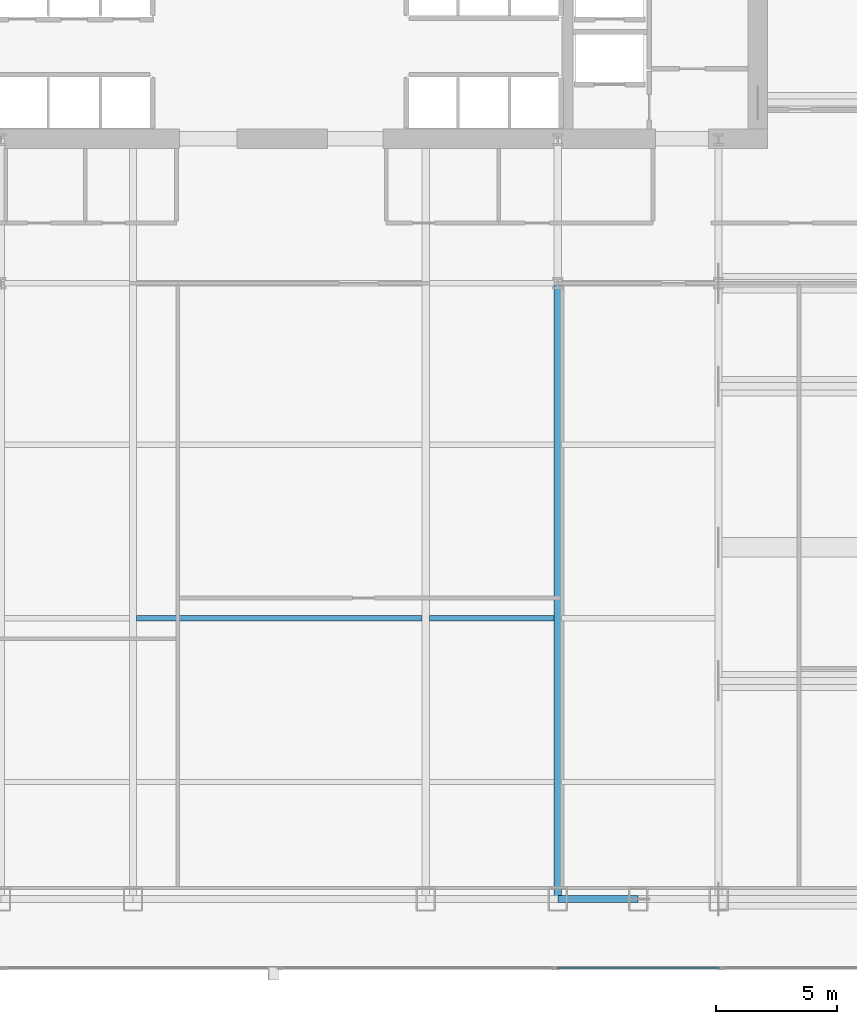
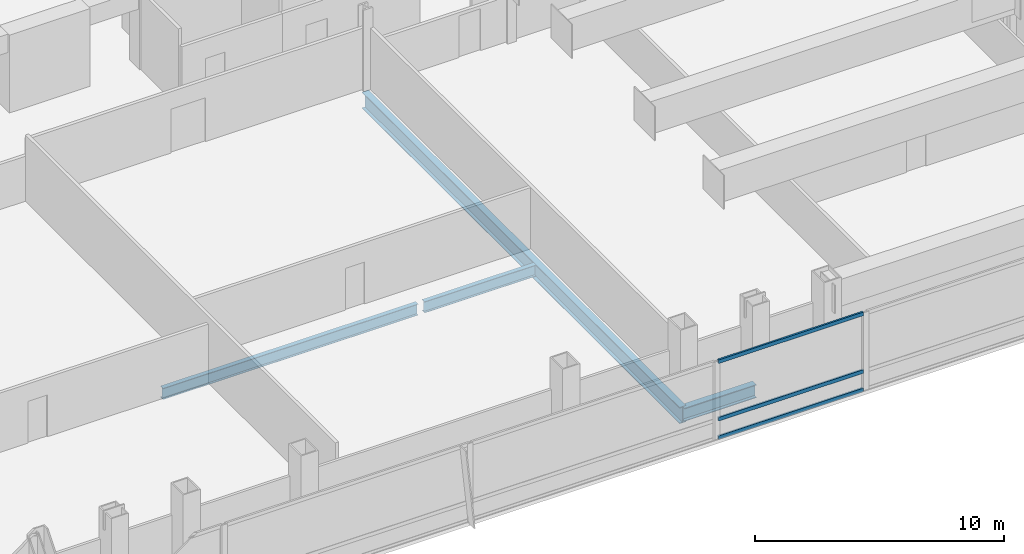
# One storey, part 12 of 32: 4 beams, 3 members, 1 element without a shape of its own.
"""IFC4 building model written with IfcOpenShell, lengths in metres."""

from ifc_helpers import new_model, si_unit, direction, frame, origin, origin_2d, place, context, subcontext, project, spatial, hollow_rectangle, i_section, extrude, material, material_profile, profile_set, type_object, element, aggregate, save


model = new_model("IFC4")

# Units and contexts
model_context = context("Model", 3, precision=1e-05, world=origin(), true_north=direction((0.0, 1.0)))
body_context = subcontext(model_context, "Body", "Model", "MODEL_VIEW")
ifc_project = project(units=[si_unit("LENGTHUNIT", "METRE"), si_unit("AREAUNIT", "SQUARE_METRE"), si_unit("VOLUMEUNIT", "CUBIC_METRE"), si_unit("PLANEANGLEUNIT", "RADIAN"), si_unit("MASSUNIT", "GRAM", prefix="KILO")], contexts=[model_context])

# Site, building, storey
site_placement = place(None, origin())
site = spatial("IfcSite", under=ifc_project, at=site_placement, CompositionType="ELEMENT")
building_placement = place(site_placement, origin())
building = spatial("IfcBuilding", under=site, at=building_placement, Name="Khoronbel Lancet Exchange", CompositionType="ELEMENT")
storey_placement = place(building_placement, frame((0.0, 0.0, 77.800048828125)))
storey = spatial("IfcBuildingStorey", under=building, at=storey_placement, Name="L18", CompositionType="ELEMENT", Elevation=77.800048828125)

# Beams
ifc_material_1 = material(Name="Steel S355", Category="steel")
ifc_material_profile_1 = material_profile(ifc_material_1, i_section(OverallWidth=0.300048828125, OverallDepth=0.800048828125, WebThickness=0.017578125, FlangeThickness=0.032958984375, at=origin_2d()), Name="HEB 800")
ifc_profile_set_1 = profile_set([ifc_material_profile_1], Name="Steel S355")
beam_type_1 = type_object("IfcBeamType", Name="BM-BG2", PredefinedType="BEAM", material=ifc_profile_set_1)
beam_1_placement = place(storey_placement, frame((48.0, 10.14990234375, -0.580078125), z_axis=(0.0, 1.0, 0.0), x_axis=(-1.0, 0.0, 0.0)))
element("IfcBeam", 1, at=beam_1_placement, inside=storey, type_object=beam_type_1, Name="Level L18 south primary girder GS5", PredefinedType="BEAM", context=body_context, shape_type="SweptSolid", body=[
    extrude(i_section(OverallWidth=0.300048828125, OverallDepth=0.800048828125, WebThickness=0.017578125, FlangeThickness=0.032958984375, at=origin_2d()), origin(), (0.0, 0.0, 1.0), 25.550048828125),
])
ifc_material_profile_2 = material_profile(ifc_material_1, i_section(OverallWidth=0.2099609375, OverallDepth=0.550048828125, WebThickness=0.010986328125, FlangeThickness=0.01708984375, at=origin_2d()), Name="IPE 550")
ifc_profile_set_2 = profile_set([ifc_material_profile_2], Name="Steel S355")
beam_type_2 = type_object("IfcBeamType", Name="BM-BJ2", PredefinedType="JOIST", material=ifc_profile_set_2)
beam_2_placement = place(storey_placement, frame((30.52490234375, 21.800048828125, -0.455078125), z_axis=(1.0, 0.0, 0.0), x_axis=(0.0, 1.0, 0.0)))
element("IfcBeam", 2, at=beam_2_placement, inside=storey, type_object=beam_type_2, Name="Level L18 secondary composite joist J08", PredefinedType="JOIST", context=body_context, shape_type="SweptSolid", body=[
    extrude(i_section(OverallWidth=0.2099609375, OverallDepth=0.550048828125, WebThickness=0.010986328125, FlangeThickness=0.01708984375, at=origin_2d()), origin(), (0.0, 0.0, 1.0), 11.85009765625),
])
beam_3_placement = place(storey_placement, frame((42.675048828125, 21.800048828125, -0.455078125), z_axis=(1.0, 0.0, 0.0), x_axis=(0.0, 1.0, 0.0)))
element("IfcBeam", 3, at=beam_3_placement, inside=storey, type_object=beam_type_2, Name="Level L18 secondary composite joist J09", PredefinedType="JOIST", context=body_context, shape_type="SweptSolid", body=[
    extrude(i_section(OverallWidth=0.2099609375, OverallDepth=0.550048828125, WebThickness=0.010986328125, FlangeThickness=0.01708984375, at=origin_2d()), origin(), (0.0, 0.0, 1.0), 5.175048828125),
])
ifc_material_profile_3 = material_profile(ifc_material_1, i_section(OverallWidth=0.300048828125, OverallDepth=0.64990234375, WebThickness=0.01611328125, FlangeThickness=0.031005859375, at=origin_2d()), Name="HEB 650")
ifc_profile_set_3 = profile_set([ifc_material_profile_3], Name="Steel S355")
beam_type_3 = type_object("IfcBeamType", Name="BM-BSP1", PredefinedType="SPANDREL", material=ifc_profile_set_3)
beam_4_placement = place(storey_placement, frame((48.0, 10.14990234375, -0.505126953125), z_axis=(1.0, 0.0, 0.0), x_axis=(0.0, 1.0, 0.0)))
element("IfcBeam", 4, at=beam_4_placement, inside=storey, type_object=beam_type_3, Name="Level L18 perimeter spandrel beam SP07", PredefinedType="SPANDREL", context=body_context, shape_type="SweptSolid", body=[
    extrude(i_section(OverallWidth=0.300048828125, OverallDepth=0.64990234375, WebThickness=0.01611328125, FlangeThickness=0.031005859375, at=origin_2d()), origin(), (0.0, 0.0, 1.0), 3.33740234375),
])

# Curtain wall, members
ifc_material_2 = material(Name="Low-E Solar Control Insulating Glass", Category="glass")
curtain_wall_type = type_object("IfcCurtainWallType", Name="CW-1", PredefinedType="NOTDEFINED", material=ifc_material_2)
curtain_wall_placement = place(storey_placement, origin())
curtain_wall = element("IfcCurtainWall", 5, at=curtain_wall_placement, inside=storey, type_object=curtain_wall_type, Name="Unitised curtain wall CW-L18-SEB", PredefinedType="NOTDEFINED")
ifc_material_3 = material(Name="Bronze-Anodised Aluminium 6063-T6", Category="aluminium")
ifc_material_profile_4 = material_profile(ifc_material_3, hollow_rectangle(XDim=0.0849609375, YDim=0.179931640625, WallThickness=0.0048828125, at=origin_2d()), Name="ALU TRANSOM 85x180")
ifc_profile_set_4 = profile_set([ifc_material_profile_4], Name="Bronze-Anodised Aluminium 6063-T6")
member_type = type_object("IfcMemberType", Name="MEM-CWT1", PredefinedType="USERDEFINED", material=ifc_profile_set_4)
member_1_placement = place(storey_placement, frame((47.985107421875, 7.2900390625, 0.04248046875), z_axis=(1.0, 0.0, 0.0), x_axis=(0.0, 1.0, 0.0)))
member_1 = element("IfcMember", 6, at=member_1_placement, type_object=member_type, Name="CW1 transom 1.1", ObjectType="TRANSOM", PredefinedType="USERDEFINED", context=body_context, shape_type="SweptSolid", body=[
    extrude(hollow_rectangle(XDim=0.0849609375, YDim=0.179931640625, WallThickness=0.0048828125, at=origin_2d()), origin(), (0.0, 0.0, 1.0), 6.72998046875),
])
member_2_placement = place(storey_placement, frame((47.985107421875, 7.2900390625, 0.949951171875), z_axis=(1.0, 0.0, 0.0), x_axis=(0.0, 1.0, 0.0)))
member_2 = element("IfcMember", 7, at=member_2_placement, type_object=member_type, Name="CW1 transom 1.2", ObjectType="TRANSOM", PredefinedType="USERDEFINED", context=body_context, shape_type="SweptSolid", body=[
    extrude(hollow_rectangle(XDim=0.0849609375, YDim=0.179931640625, WallThickness=0.0048828125, at=origin_2d()), origin(), (0.0, 0.0, 1.0), 6.72998046875),
])
member_3_placement = place(storey_placement, frame((47.985107421875, 7.2900390625, 3.77734375), z_axis=(1.0, 0.0, 0.0), x_axis=(0.0, 1.0, 0.0)))
member_3 = element("IfcMember", 8, at=member_3_placement, type_object=member_type, Name="CW1 transom 1.3", ObjectType="TRANSOM", PredefinedType="USERDEFINED", context=body_context, shape_type="SweptSolid", body=[
    extrude(hollow_rectangle(XDim=0.0849609375, YDim=0.179931640625, WallThickness=0.0048828125, at=origin_2d()), origin(), (0.0, 0.0, 1.0), 6.72998046875),
])
aggregate(curtain_wall, [member_1, member_2, member_3])

save(model, "model.ifc")
